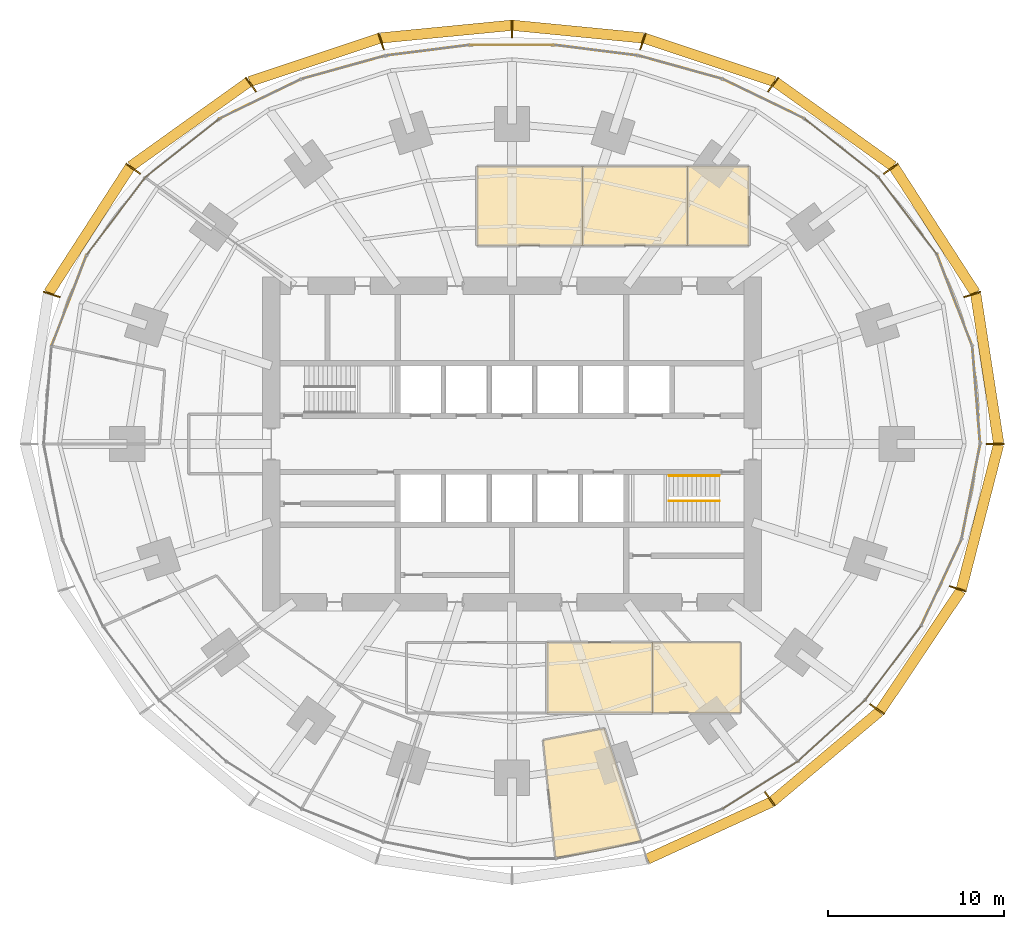
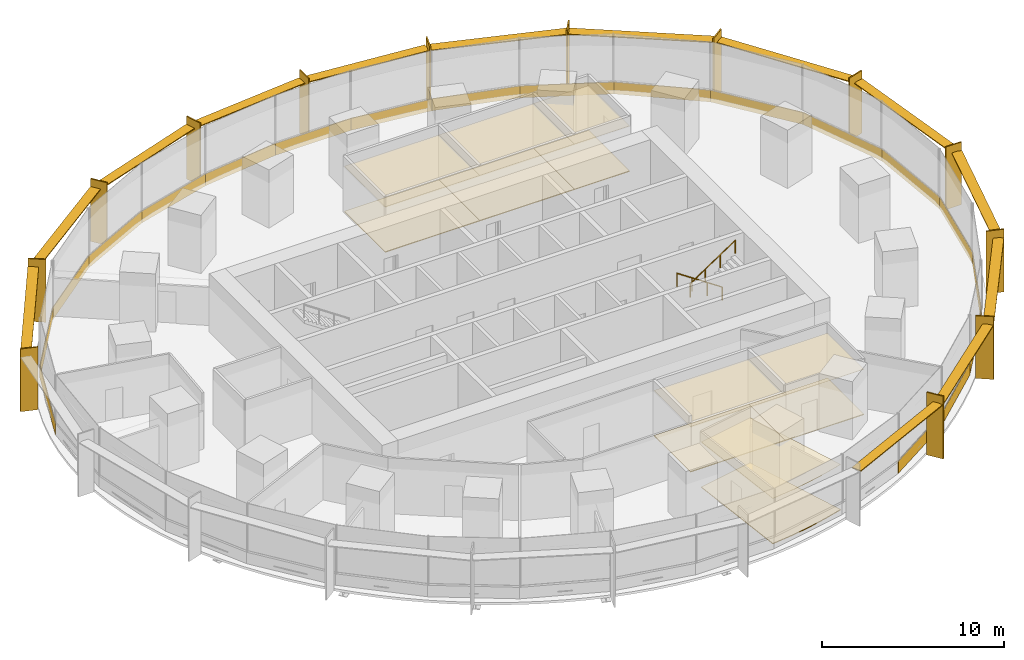
# One storey, part 15 of 15: 31 coverings, 26 shading devices, 2 railings.
"""IFC4 building model written with IfcOpenShell, lengths in metres."""

import ifcopenshell
import ifcopenshell.guid

model = None  # the IFC model being written
_history = None  # IfcOwnerHistory: only IFC2X3 demands one
_inside = {}  # id of a spatial element -> (the spatial element, [elements in it])
_under = {}  # id of a project, library or spatial element -> (it, [spatial elements below it])
_declared = {}  # id of a project -> (the project, [libraries it declares])
_typed = {}  # id of a type object -> (the type object, [elements of that type])
_made_of = {}  # id of a material, layer set ... -> (it, [elements and type objects made of it])


def new_model(schema):
    """Start an empty IFC model of exactly this schema.

    Asked for "IFC4X3", IfcOpenShell would pick the latest addendum, in which some entities
    have other attributes; the version numbers below select the first issue.
    IFC2X3 requires an IfcOwnerHistory on every rooted entity: one is made here for all.
    """
    global model, _history
    if schema == "IFC4X3":
        model = ifcopenshell.file(schema_version=(4, 3, 0, 0))
    else:
        model = ifcopenshell.file(schema=schema)
    _inside.clear()
    _under.clear()
    _declared.clear()
    _typed.clear()
    _made_of.clear()
    _history = None
    if model.schema == "IFC2X3":
        org = make("IfcOrganization", Name="unknown")
        user = make(
            "IfcPersonAndOrganization",
            ThePerson=make("IfcPerson", FamilyName="unknown"),
            TheOrganization=org,
        )
        app = make(
            "IfcApplication",
            ApplicationDeveloper=org,
            Version="unknown",
            ApplicationFullName="unknown",
            ApplicationIdentifier="unknown",
        )
        _history = make(
            "IfcOwnerHistory",
            OwningUser=user,
            OwningApplication=app,
            ChangeAction="ADDED",
            CreationDate=0,
        )
    return model


def make(cls, **values):
    """One entity of the class cls with the attributes given. An attribute that is None is left unset."""
    return model.create_entity(
        cls, **{name: value for name, value in values.items() if value is not None}
    )


def rooted(cls, **values):
    """An entity with a GlobalId (a new one), such as an element, a storey or a relation."""
    return make(cls, GlobalId=ifcopenshell.guid.new(), OwnerHistory=_history, **values)


def si_unit(unit_type, name, prefix=None):
    """IfcSIUnit, for example si_unit("LENGTHUNIT", "METRE", prefix="MILLI")."""
    return make("IfcSIUnit", UnitType=unit_type, Prefix=prefix, Name=name)


def assignment(units):
    """IfcUnitAssignment: the units of a project."""
    return None if units is None else make("IfcUnitAssignment", Units=units)


def point(xyz):
    """IfcCartesianPoint."""
    return None if xyz is None else make("IfcCartesianPoint", Coordinates=xyz)


def direction(xyz):
    """IfcDirection."""
    return None if xyz is None else make("IfcDirection", DirectionRatios=xyz)


def frame(location, z_axis=None, x_axis=None):
    """IfcAxis2Placement3D, a coordinate frame: its origin and axes. An axis left out is left unset."""
    return make(
        "IfcAxis2Placement3D",
        Location=point(location),
        Axis=direction(z_axis),
        RefDirection=direction(x_axis),
    )


def frame_2d(location, x_axis=None):
    """IfcAxis2Placement2D, a coordinate frame in the plane: its origin and x axis."""
    return make(
        "IfcAxis2Placement2D", Location=point(location), RefDirection=direction(x_axis)
    )


def origin():
    """The frame at (0, 0, 0) with its axes left unset."""
    return frame((0.0, 0.0, 0.0))


def origin_2d():
    """The frame at (0, 0) in the plane with its x axis left unset."""
    return frame_2d((0.0, 0.0))


def place(relative_to, where):
    """IfcLocalPlacement: puts the frame where relative to a parent placement (None: the world)."""
    return make(
        "IfcLocalPlacement", PlacementRelTo=relative_to, RelativePlacement=where
    )


def context(
    kind, dimensions, precision=None, world=None, true_north=None, identifier=None
):
    """IfcGeometricRepresentationContext, for example the 3D "Model" context."""
    return make(
        "IfcGeometricRepresentationContext",
        ContextIdentifier=identifier,
        ContextType=kind,
        CoordinateSpaceDimension=dimensions,
        Precision=precision,
        WorldCoordinateSystem=world,
        TrueNorth=true_north,
    )


def subcontext(parent, identifier, kind, view, scale=None):
    """IfcGeometricRepresentationSubContext, for example "Body" below "Model"."""
    return make(
        "IfcGeometricRepresentationSubContext",
        ContextIdentifier=identifier,
        ContextType=kind,
        ParentContext=parent,
        TargetScale=scale,
        TargetView=view,
    )


def project(units=None, contexts=None):
    """IfcProject with its units and contexts."""
    return rooted(
        "IfcProject",
        Name="project",
        RepresentationContexts=contexts,
        UnitsInContext=assignment(units),
    )


def spatial(cls, under=None, at=None, **own):
    """A site, building, storey or space (cls), placed at a placement, below another one or the project."""
    s = rooted(cls, ObjectPlacement=at, **own)
    if under is not None:
        _under.setdefault(under.id(), (under, []))[1].append(s)
    return s


def polyline(points):
    """IfcPolyline through the points."""
    return make("IfcPolyline", Points=[point(p) for p in points])


def profile(cls, at=None, kind="AREA", **sizes):
    """A parametric profile (cls). Its sizes go by their IFC names, for example OverallWidth=200.0."""
    return make(cls, ProfileType=kind, Position=at, **sizes)


def rectangle(**sizes):
    """IfcRectangleProfileDef."""
    return profile("IfcRectangleProfileDef", **sizes)


def circle(**sizes):
    """IfcCircleProfileDef."""
    return profile("IfcCircleProfileDef", **sizes)


def outline(outer, holes=None, kind="AREA"):
    """IfcArbitraryClosedProfileDef: a profile drawn as a closed curve; with holes, ...WithVoids."""
    if holes is None:
        return make("IfcArbitraryClosedProfileDef", ProfileType=kind, OuterCurve=outer)
    return make(
        "IfcArbitraryProfileDefWithVoids",
        ProfileType=kind,
        OuterCurve=outer,
        InnerCurves=holes,
    )


def extrude(swept, where, along, depth):
    """IfcExtrudedAreaSolid: the profile swept, set in the frame where, extruded along a direction by depth."""
    return make(
        "IfcExtrudedAreaSolid",
        SweptArea=swept,
        Position=where,
        ExtrudedDirection=direction(along),
        Depth=depth,
    )


def shape(context_of_items, identifier, shape_type, items):
    """IfcShapeRepresentation: the items that make up one representation, for example the "Body"."""
    return make(
        "IfcShapeRepresentation",
        ContextOfItems=context_of_items,
        RepresentationIdentifier=identifier,
        RepresentationType=shape_type,
        Items=items,
    )


def material(Name=None, Category=None):
    """IfcMaterial."""
    return make("IfcMaterial", Name=Name, Category=Category)


def layer(
    of_material, thickness, ventilated=None, Name=None, Category=None, Priority=None
):
    """IfcMaterialLayer: one layer of a wall or slab, of a material (None: an air gap)."""
    return make(
        "IfcMaterialLayer",
        Material=of_material,
        LayerThickness=thickness,
        IsVentilated=ventilated,
        Name=Name,
        Category=Category,
        Priority=Priority,
    )


def layer_set(layers, Name=None):
    """IfcMaterialLayerSet."""
    return make("IfcMaterialLayerSet", MaterialLayers=layers, LayerSetName=Name)


def made_of(thing, what):
    """Note that an element or type object is made of a material, layer set ...; save() writes the relation."""
    if what is not None:
        _made_of.setdefault(what.id(), (what, []))[1].append(thing)
    return thing


def type_object(cls, material=None, **own):
    """A type object (cls), such as IfcWallType, which elements share."""
    return made_of(rooted(cls, **own), material)


def element(
    cls,
    number,
    at=None,
    inside=None,
    cuts=None,
    type_object=None,
    material=None,
    context=None,
    identifier="Body",
    shape_type=None,
    held_by="IfcProductDefinitionShape",
    body=None,
    shapes=None,
    **own,
):
    """One element of the class cls, such as IfcWall. Its Tag is "e" and its number.

    at: its placement. inside: the storey or other place that contains it. cuts: it is an
    opening in that element (IfcRelVoidsElement). A single representation is given by context,
    identifier, shape_type and body (its items); several are given by shapes. held_by: the class
    of the entity that holds the representations. save() writes the other relations.
    """
    e = rooted(cls, Tag="e%d" % number, ObjectPlacement=at, **own)
    if body is not None:
        shapes = [shape(context, identifier, shape_type, body)]
    if shapes is not None:
        e.Representation = make(held_by, Representations=shapes)
    if inside is not None:
        _inside.setdefault(inside.id(), (inside, []))[1].append(e)
    if cuts is not None:
        rooted(
            "IfcRelVoidsElement", RelatingBuildingElement=cuts, RelatedOpeningElement=e
        )
    if type_object is not None:
        _typed.setdefault(type_object.id(), (type_object, []))[1].append(e)
    return made_of(e, material)


def aggregate(whole, parts):
    """IfcRelAggregates: a whole, such as a stair, and the parts it consists of."""
    return rooted("IfcRelAggregates", RelatingObject=whole, RelatedObjects=parts)


def save(model, path):
    """Write the relations noted so far, then the file.

    IfcRelAggregates (storeys below a building ...), IfcRelContainedInSpatialStructure (elements
    in a storey), IfcRelDefinesByType, IfcRelAssociatesMaterial and IfcRelDeclares: one each for
    every whole, place, type object, material and project.
    """
    for whole, parts in _under.values():
        aggregate(whole, parts)
    for where, things in _inside.values():
        rooted(
            "IfcRelContainedInSpatialStructure",
            RelatedElements=things,
            RelatingStructure=where,
        )
    for kind, things in _typed.values():
        rooted("IfcRelDefinesByType", RelatedObjects=things, RelatingType=kind)
    for what, things in _made_of.values():
        rooted("IfcRelAssociatesMaterial", RelatedObjects=things, RelatingMaterial=what)
    for by, libraries in _declared.values():
        rooted("IfcRelDeclares", RelatingContext=by, RelatedDefinitions=libraries)
    model.write(path)


model = new_model("IFC4")

# Units and contexts
model_context = context("Model", 3, precision=1e-05, world=origin(), true_north=direction((0.0, 1.0)))
body_context = subcontext(model_context, "Body", "Model", "MODEL_VIEW")
ifc_project = project(units=[si_unit("LENGTHUNIT", "METRE"), si_unit("AREAUNIT", "SQUARE_METRE"), si_unit("VOLUMEUNIT", "CUBIC_METRE"), si_unit("PLANEANGLEUNIT", "RADIAN"), si_unit("MASSUNIT", "GRAM", prefix="KILO")], contexts=[model_context])

# Site, building, storey
site_placement = place(None, origin())
site = spatial("IfcSite", under=ifc_project, at=site_placement, CompositionType="ELEMENT")
building_placement = place(site_placement, origin())
building = spatial("IfcBuilding", under=site, at=building_placement, Name="Marramba Exchange Tower", CompositionType="ELEMENT")
storey_placement = place(building_placement, frame((0.0, 0.0, 61.60009765625)))
storey = spatial("IfcBuildingStorey", under=building, at=storey_placement, Name="L14", CompositionType="ELEMENT", Elevation=61.60009765625)

# Shading devices
ifc_material_1 = material(Name="Aluminium blade, timber-look bronze finish", Category="wood")
ifc_layer_1 = layer(ifc_material_1, 0.080078125)
ifc_layer_set_1 = layer_set([ifc_layer_1], Name="Floor-edge blade 1000x80")
shading_device_type_1 = type_object("IfcShadingDeviceType", Name="Floor-edge blade 1000x80", PredefinedType="USERDEFINED", material=ifc_layer_set_1)
for number, where, z_axis, x_axis, name in (
    (1, (27.5, 0.0, -0.16015625), (0.0, 0.0, 1.0), (1.0, 0.0, 0.0), "Floor-edge blade FB1 L14 TC01"),
    (2, (26.193115234375, 8.5107421875, -0.16015625), (0.0, 0.0, 1.0), (0.951056516295, 0.309016994375, 0.0), "Floor-edge blade FB1 L14 TC02"),
    (3, (21.56298828125, 15.66650390625, -0.16015625), (0.0, 0.0, 1.0), (0.809016994375, 0.587785252292, 0.0), "Floor-edge blade FB1 L14 TC03"),
    (4, (14.857666015625, 20.449951171875, -0.16015625), (0.0, 0.0, 1.0), (0.587785252292, 0.809016994375, 0.0), "Floor-edge blade FB1 L14 TC04"),
    (5, (7.444091796875, 22.910888671875, -0.16015625), (0.0, 0.0, 1.0), (0.309016994375, 0.951056516295, 0.0), "Floor-edge blade FB1 L14 TC05"),
    (6, (0.0, 23.6279296875, -0.16015625), (0.0, 0.0, 1.0), (0.0, 1.0, 0.0), "Floor-edge blade FB1 L14 TC06"),
    (7, (-7.444091796875, 22.910888671875, -0.16015625), (0.0, 0.0, 1.0), (-0.309016994375, 0.951056516295, 0.0), "Floor-edge blade FB1 L14 TC07"),
    (8, (-14.857666015625, 20.449951171875, -0.16015625), (0.0, 0.0, 1.0), (-0.587785252292, 0.809016994375, 0.0), "Floor-edge blade FB1 L14 TC08"),
    (9, (-21.56298828125, 15.66650390625, -0.16015625), (0.0, 0.0, 1.0), (-0.809016994375, 0.587785252292, 0.0), "Floor-edge blade FB1 L14 TC09"),
    (10, (-26.193115234375, 8.5107421875, -0.16015625), (0.0, 0.0, 1.0), (-0.951056516295, 0.309016994375, 0.0), "Floor-edge blade FB1 L14 TC10"),
    (11, (14.6787109375, -20.20361328125, -0.16015625), (0.0, 0.0, 1.0), (0.587785252292, -0.809016994375, 0.0), "Floor-edge blade FB1 L14 TC18"),
    (12, (20.773193359375, -15.092529296875, -0.16015625), (0.0, 0.0, 1.0), (0.809016994375, -0.587785252292, 0.0), "Floor-edge blade FB1 L14 TC19"),
    (13, (25.3740234375, -8.24462890625, -0.16015625), (0.0, 0.0, 1.0), (0.951056516295, -0.309016994375, 0.0), "Floor-edge blade FB1 L14 TC20"),
):
    element("IfcShadingDevice", number, at=place(storey_placement, frame(where, z_axis=z_axis, x_axis=x_axis)), inside=storey, type_object=shading_device_type_1, Name=name, ObjectType="FIN", PredefinedType="USERDEFINED", context=body_context, shape_type="SweptSolid", body=[
        extrude(rectangle(XDim=1.0, YDim=0.080078125, at=origin_2d()), origin(), (0.0, 0.0, 1.0), 4.199951171875),
    ])

# Coverings
ifc_material_2 = material(Name="Steel raised access floor panels", Category="steel")
ifc_layer_2 = layer(ifc_material_2, 0.050048828125)
ifc_layer_set_2 = layer_set([ifc_layer_2], Name="Raised access floor 300")
covering_type_1 = type_object("IfcCoveringType", Name="Raised access floor 300", PredefinedType="FLOORING", material=ifc_layer_set_2)
covering_1_placement = place(storey_placement, frame((0.0, 0.0, 0.25)))
element("IfcCovering", 14, at=covering_1_placement, inside=storey, type_object=covering_type_1, Name="Raised access floor RAF1 L14 Risk Office", PredefinedType="FLOORING", context=body_context, shape_type="SweptSolid", body=[
    extrude(outline(polyline([(6.1328125, -22.8876953125), (5.89111328125, -22.941650390625), (4.92236328125, -23.15771484375), (4.17138671875, -23.28759765625), (3.701416015625, -23.368896484375), (2.47216796875, -23.5205078125), (1.771728515625, -16.857177734375), (5.259765625, -16.18798828125), (7.330078125, -22.56005859375), (6.1328125, -22.8876953125)])), origin(), (0.0, 0.0, 1.0), 0.0498046875),
])
covering_2_placement = place(storey_placement, frame((0.0, 0.0, 0.25)))
element("IfcCovering", 15, at=covering_2_placement, inside=storey, type_object=covering_type_1, Name="Raised access floor RAF1 L14 Meeting Room 1", PredefinedType="FLOORING", context=body_context, shape_type="SweptSolid", body=[
    extrude(outline(polyline([(4.0, 11.300048828125), (-2.0, 11.300048828125), (-2.0, 15.800048828125), (4.0, 15.800048828125), (4.0, 11.300048828125)])), origin(), (0.0, 0.0, 1.0), 0.0498046875),
])
covering_3_placement = place(storey_placement, frame((0.0, 0.0, 0.25)))
element("IfcCovering", 16, at=covering_3_placement, inside=storey, type_object=covering_type_1, Name="Raised access floor RAF1 L14 Meeting Room 2", PredefinedType="FLOORING", context=body_context, shape_type="SweptSolid", body=[
    extrude(outline(polyline([(10.0, 11.300048828125), (4.0, 11.300048828125), (4.0, 15.800048828125), (10.0, 15.800048828125), (10.0, 11.300048828125)])), origin(), (0.0, 0.0, 1.0), 0.0498046875),
])
covering_4_placement = place(storey_placement, frame((0.0, 0.0, 0.25)))
element("IfcCovering", 17, at=covering_4_placement, inside=storey, type_object=covering_type_1, Name="Raised access floor RAF1 L14 Interview Room", PredefinedType="FLOORING", context=body_context, shape_type="SweptSolid", body=[
    extrude(outline(polyline([(13.5, 11.300048828125), (10.0, 11.300048828125), (10.0, 15.800048828125), (13.5, 15.800048828125), (13.5, 11.300048828125)])), origin(), (0.0, 0.0, 1.0), 0.0498046875),
])
covering_5_placement = place(storey_placement, frame((0.0, 0.0, 0.25)))
element("IfcCovering", 18, at=covering_5_placement, inside=storey, type_object=covering_type_1, Name="Raised access floor RAF1 L14 Data Room", PredefinedType="FLOORING", context=body_context, shape_type="SweptSolid", body=[
    extrude(outline(polyline([(8.0, -15.300048828125), (2.0, -15.300048828125), (2.0, -11.300048828125), (8.0, -11.300048828125), (8.0, -15.300048828125)])), origin(), (0.0, 0.0, 1.0), 0.0498046875),
])
covering_6_placement = place(storey_placement, frame((0.0, 0.0, 0.25)))
element("IfcCovering", 19, at=covering_6_placement, inside=storey, type_object=covering_type_1, Name="Raised access floor RAF1 L14 Print Room", PredefinedType="FLOORING", context=body_context, shape_type="SweptSolid", body=[
    extrude(outline(polyline([(13.0, -11.300048828125), (13.0, -15.300048828125), (8.0, -15.300048828125), (8.0, -11.300048828125), (13.0, -11.300048828125)])), origin(), (0.0, 0.0, 1.0), 0.0498046875),
])

# Shading devices
ifc_material_3 = material(Name="Aluminium sunshade, bronze anodised", Category="aluminium")
ifc_layer_3 = layer(ifc_material_3, 0.06005859375)
ifc_layer_set_3 = layer_set([ifc_layer_3], Name="SUNSHADE blade 600x60")
shading_device_type_2 = type_object("IfcShadingDeviceType", Name="SUNSHADE blade 600x60", PredefinedType="USERDEFINED", material=ifc_layer_set_3)
shading_device_1_placement = place(storey_placement, frame((27.04150390625, 4.2861328125, 3.4599609375), z_axis=(0.0, 0.0, 1.0), x_axis=(-0.151825486228, 0.988407315701, 0.0)))
element("IfcShadingDevice", 20, at=shading_device_1_placement, inside=storey, type_object=shading_device_type_2, Name="Sunshade SS1 L14 bay 01", ObjectType="SUNSHADE", PredefinedType="USERDEFINED", context=body_context, shape_type="SweptSolid", body=[
    extrude(rectangle(XDim=8.593017578125, YDim=0.60009765625, at=origin_2d()), origin(), (0.0, 0.0, 1.0), 0.06005859375),
])
shading_device_2_placement = place(storey_placement, frame((24.053955078125, 12.17822265625, 3.4599609375), z_axis=(0.0, 0.0, 1.0), x_axis=(-0.542596596948, 0.839993412462, 0.0)))
element("IfcShadingDevice", 21, at=shading_device_2_placement, inside=storey, type_object=shading_device_type_2, Name="Sunshade SS1 L14 bay 02", ObjectType="SUNSHADE", PredefinedType="USERDEFINED", context=body_context, shape_type="SweptSolid", body=[
    extrude(rectangle(XDim=8.50537109375, YDim=0.60009765625, at=origin_2d()), origin(), (0.0, 0.0, 1.0), 0.06005859375),
])
shading_device_3_placement = place(storey_placement, frame((18.35009765625, 18.19775390625, 3.4599609375), z_axis=(0.0, 0.0, 1.0), x_axis=(-0.813362978246, 0.581756534659, 0.0)))
element("IfcShadingDevice", 22, at=shading_device_3_placement, inside=storey, type_object=shading_device_type_2, Name="Sunshade SS1 L14 bay 03", ObjectType="SUNSHADE", PredefinedType="USERDEFINED", context=body_context, shape_type="SweptSolid", body=[
    extrude(rectangle(XDim=8.218505859375, YDim=0.60009765625, at=origin_2d()), origin(), (0.0, 0.0, 1.0), 0.06005859375),
])
shading_device_4_placement = place(storey_placement, frame((11.24072265625, 21.8564453125, 3.4599609375), z_axis=(0.0, 0.0, 1.0), x_axis=(-0.948697789537, 0.316184288235, 0.0)))
element("IfcShadingDevice", 23, at=shading_device_4_placement, inside=storey, type_object=shading_device_type_2, Name="Sunshade SS1 L14 bay 04", ObjectType="SUNSHADE", PredefinedType="USERDEFINED", context=body_context, shape_type="SweptSolid", body=[
    extrude(rectangle(XDim=7.793212890625, YDim=0.60009765625, at=origin_2d()), origin(), (0.0, 0.0, 1.0), 0.06005859375),
])
for number, where, z_axis, x_axis, name in (
    (24, (3.7529296875, 23.464599609375, 3.4599609375), (0.0, 0.0, 1.0), (-0.995342876176, 0.096397919302, 0.0), "Sunshade SS1 L14 bay 05"),
    (25, (-3.7529296875, 23.464599609375, 3.4599609375), (0.0, 0.0, 1.0), (-0.995342876176, -0.096397919302, 0.0), "Sunshade SS1 L14 bay 06"),
):
    element("IfcShadingDevice", number, at=place(storey_placement, frame(where, z_axis=z_axis, x_axis=x_axis)), inside=storey, type_object=shading_device_type_2, Name=name, ObjectType="SUNSHADE", PredefinedType="USERDEFINED", context=body_context, shape_type="SweptSolid", body=[
        extrude(rectangle(XDim=7.461181640625, YDim=0.60009765625, at=origin_2d()), origin(), (0.0, 0.0, 1.0), 0.06005859375),
    ])
shading_device_5_placement = place(storey_placement, frame((-11.24072265625, 21.8564453125, 3.4599609375), z_axis=(0.0, 0.0, 1.0), x_axis=(-0.948697789537, -0.316184288235, 0.0)))
element("IfcShadingDevice", 26, at=shading_device_5_placement, inside=storey, type_object=shading_device_type_2, Name="Sunshade SS1 L14 bay 07", ObjectType="SUNSHADE", PredefinedType="USERDEFINED", context=body_context, shape_type="SweptSolid", body=[
    extrude(rectangle(XDim=7.793212890625, YDim=0.60009765625, at=origin_2d()), origin(), (0.0, 0.0, 1.0), 0.06005859375),
])
shading_device_6_placement = place(storey_placement, frame((-18.35009765625, 18.19775390625, 3.4599609375), z_axis=(0.0, 0.0, 1.0), x_axis=(-0.813362978246, -0.581756534659, 0.0)))
element("IfcShadingDevice", 27, at=shading_device_6_placement, inside=storey, type_object=shading_device_type_2, Name="Sunshade SS1 L14 bay 08", ObjectType="SUNSHADE", PredefinedType="USERDEFINED", context=body_context, shape_type="SweptSolid", body=[
    extrude(rectangle(XDim=8.218505859375, YDim=0.60009765625, at=origin_2d()), origin(), (0.0, 0.0, 1.0), 0.06005859375),
])
shading_device_7_placement = place(storey_placement, frame((-24.053955078125, 12.17822265625, 3.4599609375), z_axis=(0.0, 0.0, 1.0), x_axis=(-0.542596596948, -0.839993412462, 0.0)))
element("IfcShadingDevice", 28, at=shading_device_7_placement, inside=storey, type_object=shading_device_type_2, Name="Sunshade SS1 L14 bay 09", ObjectType="SUNSHADE", PredefinedType="USERDEFINED", context=body_context, shape_type="SweptSolid", body=[
    extrude(rectangle(XDim=8.50537109375, YDim=0.60009765625, at=origin_2d()), origin(), (0.0, 0.0, 1.0), 0.06005859375),
])
shading_device_8_placement = place(storey_placement, frame((11.23779296875, -22.0, 3.4599609375), z_axis=(0.0, 0.0, 1.0), x_axis=(0.908703542008, 0.417442059144, 0.0)))
element("IfcShadingDevice", 29, at=shading_device_8_placement, inside=storey, type_object=shading_device_type_2, Name="Sunshade SS1 L14 bay 17", ObjectType="SUNSHADE", PredefinedType="USERDEFINED", context=body_context, shape_type="SweptSolid", body=[
    extrude(rectangle(XDim=7.751953125, YDim=0.60009765625, at=origin_2d()), origin(), (0.0, 0.0, 1.0), 0.06005859375),
])
shading_device_9_placement = place(storey_placement, frame((17.86572265625, -17.787841796875, 3.4599609375), z_axis=(0.0, 0.0, 1.0), x_axis=(0.765776068523, 0.643107310546, 0.0)))
element("IfcShadingDevice", 30, at=shading_device_9_placement, inside=storey, type_object=shading_device_type_2, Name="Sunshade SS1 L14 bay 18", ObjectType="SUNSHADE", PredefinedType="USERDEFINED", context=body_context, shape_type="SweptSolid", body=[
    extrude(rectangle(XDim=7.936279296875, YDim=0.60009765625, at=origin_2d()), origin(), (0.0, 0.0, 1.0), 0.06005859375),
])
shading_device_10_placement = place(storey_placement, frame((23.24951171875, -11.75830078125, 3.4599609375), z_axis=(0.0, 0.0, 1.0), x_axis=(0.556924164761, 0.830563347798, 0.0)))
element("IfcShadingDevice", 31, at=shading_device_10_placement, inside=storey, type_object=shading_device_type_2, Name="Sunshade SS1 L14 bay 19", ObjectType="SUNSHADE", PredefinedType="USERDEFINED", context=body_context, shape_type="SweptSolid", body=[
    extrude(rectangle(XDim=8.232177734375, YDim=0.60009765625, at=origin_2d()), origin(), (0.0, 0.0, 1.0), 0.06005859375),
])
shading_device_11_placement = place(storey_placement, frame((26.632080078125, -4.153076171875, 3.4599609375), z_axis=(0.0, 0.0, 1.0), x_axis=(0.249024641331, 0.968497149201, 0.0)))
element("IfcShadingDevice", 32, at=shading_device_11_placement, inside=storey, type_object=shading_device_type_2, Name="Sunshade SS1 L14 bay 20", ObjectType="SUNSHADE", PredefinedType="USERDEFINED", context=body_context, shape_type="SweptSolid", body=[
    extrude(rectangle(XDim=8.49658203125, YDim=0.60009765625, at=origin_2d()), origin(), (0.0, 0.0, 1.0), 0.06005859375),
])

# Coverings
ifc_material_4 = material(Name="Aluminium spandrel panel, bronze anodised, insulated", Category="aluminium")
ifc_layer_4 = layer(ifc_material_4, 0.050048828125)
ifc_layer_set_4 = layer_set([ifc_layer_4], Name="Spandrel panel 800")
covering_type_2 = type_object("IfcCoveringType", Name="Spandrel panel 800", PredefinedType="CLADDING", material=ifc_layer_set_4)
covering_7_placement = place(storey_placement, frame((26.42578125, 2.78466796875, 0.0), z_axis=(0.0, 0.0, 1.0), x_axis=(-0.080275227657, 0.996772736297, 0.0)))
element("IfcCovering", 33, at=covering_7_placement, inside=storey, type_object=covering_type_2, Name="Spandrel panel SP1 L14 F01", PredefinedType="CLADDING", context=body_context, shape_type="SweptSolid", body=[
    extrude(rectangle(XDim=5.58740234375, YDim=0.050048828125, at=origin_2d()), origin(), (0.0, 0.0, 1.0), 0.800048828125),
])
covering_8_placement = place(storey_placement, frame((25.198974609375, 8.171142578125, 0.0), z_axis=(0.0, 0.0, 1.0), x_axis=(-0.359525512701, 0.933135255854, 0.0)))
element("IfcCovering", 34, at=covering_8_placement, inside=storey, type_object=covering_type_2, Name="Spandrel panel SP1 L14 F02", PredefinedType="CLADDING", context=body_context, shape_type="SweptSolid", body=[
    extrude(rectangle(XDim=5.57666015625, YDim=0.050048828125, at=origin_2d()), origin(), (0.0, 0.0, 1.0), 0.800048828125),
])
covering_9_placement = place(storey_placement, frame((22.535888671875, 12.969970703125, 0.0), z_axis=(0.0, 0.0, 1.0), x_axis=(-0.602989761876, 0.797748924834, 0.0)))
element("IfcCovering", 35, at=covering_9_placement, inside=storey, type_object=covering_type_2, Name="Spandrel panel SP1 L14 F03", PredefinedType="CLADDING", context=body_context, shape_type="SweptSolid", body=[
    extrude(rectangle(XDim=5.5078125, YDim=0.050048828125, at=origin_2d()), origin(), (0.0, 0.0, 1.0), 0.800048828125),
])
covering_10_placement = place(storey_placement, frame((18.767822265625, 16.8349609375, 0.0), z_axis=(0.0, 0.0, 1.0), x_axis=(-0.784087946735, 0.620649733574, 0.0)))
element("IfcCovering", 36, at=covering_10_placement, inside=storey, type_object=covering_type_2, Name="Spandrel panel SP1 L14 F04", PredefinedType="CLADDING", context=body_context, shape_type="SweptSolid", body=[
    extrude(rectangle(XDim=5.375732421875, YDim=0.050048828125, at=origin_2d()), origin(), (0.0, 0.0, 1.0), 0.800048828125),
])
covering_11_placement = place(storey_placement, frame((14.324951171875, 19.634765625, 0.0), z_axis=(0.0, 0.0, 1.0), x_axis=(-0.899963432359, 0.435965389012, 0.0)))
element("IfcCovering", 37, at=covering_11_placement, inside=storey, type_object=covering_type_2, Name="Spandrel panel SP1 L14 F05", PredefinedType="CLADDING", context=body_context, shape_type="SweptSolid", body=[
    extrude(rectangle(XDim=5.1904296875, YDim=0.050048828125, at=origin_2d()), origin(), (0.0, 0.0, 1.0), 0.800048828125),
])
covering_12_placement = place(storey_placement, frame((9.58544921875, 21.434326171875, 0.0), z_axis=(0.0, 0.0, 1.0), x_axis=(-0.963472098411, 0.267808729475, 0.0)))
element("IfcCovering", 38, at=covering_12_placement, inside=storey, type_object=covering_type_2, Name="Spandrel panel SP1 L14 F06", PredefinedType="CLADDING", context=body_context, shape_type="SweptSolid", body=[
    extrude(rectangle(XDim=4.989990234375, YDim=0.050048828125, at=origin_2d()), origin(), (0.0, 0.0, 1.0), 0.800048828125),
])
covering_13_placement = place(storey_placement, frame((4.783935546875, 22.404296875, 0.0), z_axis=(0.0, 0.0, 1.0), x_axis=(-0.992172768222, 0.124872727203, 0.0)))
element("IfcCovering", 39, at=covering_13_placement, inside=storey, type_object=covering_type_2, Name="Spandrel panel SP1 L14 F07", PredefinedType="CLADDING", context=body_context, shape_type="SweptSolid", body=[
    extrude(rectangle(XDim=4.832763671875, YDim=0.050048828125, at=origin_2d()), origin(), (0.0, 0.0, 1.0), 0.800048828125),
])
covering_14_placement = place(storey_placement, frame((0.0, 22.7060546875, 0.0), z_axis=(0.0, 0.0, 1.0), x_axis=(-1.0, 0.0, 0.0)))
element("IfcCovering", 40, at=covering_14_placement, inside=storey, type_object=covering_type_2, Name="Spandrel panel SP1 L14 F08", PredefinedType="CLADDING", context=body_context, shape_type="SweptSolid", body=[
    extrude(rectangle(XDim=4.77294921875, YDim=0.050048828125, at=origin_2d()), origin(), (0.0, 0.0, 1.0), 0.800048828125),
])
covering_15_placement = place(storey_placement, frame((-4.783935546875, 22.404296875, 0.0), z_axis=(0.0, 0.0, 1.0), x_axis=(-0.992172768222, -0.124872727203, 0.0)))
element("IfcCovering", 41, at=covering_15_placement, inside=storey, type_object=covering_type_2, Name="Spandrel panel SP1 L14 F09", PredefinedType="CLADDING", context=body_context, shape_type="SweptSolid", body=[
    extrude(rectangle(XDim=4.832763671875, YDim=0.050048828125, at=origin_2d()), origin(), (0.0, 0.0, 1.0), 0.800048828125),
])
covering_16_placement = place(storey_placement, frame((-9.58544921875, 21.434326171875, 0.0), z_axis=(0.0, 0.0, 1.0), x_axis=(-0.963472098411, -0.267808729475, 0.0)))
element("IfcCovering", 42, at=covering_16_placement, inside=storey, type_object=covering_type_2, Name="Spandrel panel SP1 L14 F10", PredefinedType="CLADDING", context=body_context, shape_type="SweptSolid", body=[
    extrude(rectangle(XDim=4.989990234375, YDim=0.050048828125, at=origin_2d()), origin(), (0.0, 0.0, 1.0), 0.800048828125),
])
covering_17_placement = place(storey_placement, frame((-14.324951171875, 19.634765625, 0.0), z_axis=(0.0, 0.0, 1.0), x_axis=(-0.899963432359, -0.435965389012, 0.0)))
element("IfcCovering", 43, at=covering_17_placement, inside=storey, type_object=covering_type_2, Name="Spandrel panel SP1 L14 F11", PredefinedType="CLADDING", context=body_context, shape_type="SweptSolid", body=[
    extrude(rectangle(XDim=5.1904296875, YDim=0.050048828125, at=origin_2d()), origin(), (0.0, 0.0, 1.0), 0.800048828125),
])
covering_18_placement = place(storey_placement, frame((-18.767822265625, 16.8349609375, 0.0), z_axis=(0.0, 0.0, 1.0), x_axis=(-0.784087946735, -0.620649733574, 0.0)))
element("IfcCovering", 44, at=covering_18_placement, inside=storey, type_object=covering_type_2, Name="Spandrel panel SP1 L14 F12", PredefinedType="CLADDING", context=body_context, shape_type="SweptSolid", body=[
    extrude(rectangle(XDim=5.375732421875, YDim=0.050048828125, at=origin_2d()), origin(), (0.0, 0.0, 1.0), 0.800048828125),
])
covering_19_placement = place(storey_placement, frame((-22.535888671875, 12.969970703125, 0.0), z_axis=(0.0, 0.0, 1.0), x_axis=(-0.602989761876, -0.797748924834, 0.0)))
element("IfcCovering", 45, at=covering_19_placement, inside=storey, type_object=covering_type_2, Name="Spandrel panel SP1 L14 F13", PredefinedType="CLADDING", context=body_context, shape_type="SweptSolid", body=[
    extrude(rectangle(XDim=5.5078125, YDim=0.050048828125, at=origin_2d()), origin(), (0.0, 0.0, 1.0), 0.800048828125),
])
covering_20_placement = place(storey_placement, frame((-25.198974609375, 8.171142578125, 0.0), z_axis=(0.0, 0.0, 1.0), x_axis=(-0.359525512701, -0.933135255854, 0.0)))
element("IfcCovering", 46, at=covering_20_placement, inside=storey, type_object=covering_type_2, Name="Spandrel panel SP1 L14 F14", PredefinedType="CLADDING", context=body_context, shape_type="SweptSolid", body=[
    extrude(rectangle(XDim=5.57666015625, YDim=0.050048828125, at=origin_2d()), origin(), (0.0, 0.0, 1.0), 0.800048828125),
])
covering_21_placement = place(storey_placement, frame((14.128662109375, -19.416748046875, 0.0), z_axis=(0.0, 0.0, 1.0), x_axis=(0.845790829799, 0.533514641062, 0.0)))
element("IfcCovering", 47, at=covering_21_placement, inside=storey, type_object=covering_type_2, Name="Spandrel panel SP1 L14 F26", PredefinedType="CLADDING", context=body_context, shape_type="SweptSolid", body=[
    extrude(rectangle(XDim=5.05859375, YDim=0.050048828125, at=origin_2d()), origin(), (0.0, 0.0, 1.0), 0.800048828125),
])
covering_22_placement = place(storey_placement, frame((18.1767578125, -16.330078125, 0.0), z_axis=(0.0, 0.0, 1.0), x_axis=(0.739589582203, 0.673058132628, 0.0)))
element("IfcCovering", 48, at=covering_22_placement, inside=storey, type_object=covering_type_2, Name="Spandrel panel SP1 L14 F27", PredefinedType="CLADDING", context=body_context, shape_type="SweptSolid", body=[
    extrude(rectangle(XDim=5.161865234375, YDim=0.050048828125, at=origin_2d()), origin(), (0.0, 0.0, 1.0), 0.800048828125),
])
covering_23_placement = place(storey_placement, frame((21.683349609375, -12.479248046875, 0.0), z_axis=(0.0, 0.0, 1.0), x_axis=(0.603040469481, 0.797710594243, 0.0)))
element("IfcCovering", 49, at=covering_23_placement, inside=storey, type_object=covering_type_2, Name="Spandrel panel SP1 L14 F28", PredefinedType="CLADDING", context=body_context, shape_type="SweptSolid", body=[
    extrude(rectangle(XDim=5.299560546875, YDim=0.050048828125, at=origin_2d()), origin(), (0.0, 0.0, 1.0), 0.800048828125),
])
covering_24_placement = place(storey_placement, frame((24.432861328125, -7.90185546875, 0.0), z_axis=(0.0, 0.0, 1.0), x_axis=(0.423477213559, 0.905906755464, 0.0)))
element("IfcCovering", 50, at=covering_24_placement, inside=storey, type_object=covering_type_2, Name="Spandrel panel SP1 L14 F29", PredefinedType="CLADDING", context=body_context, shape_type="SweptSolid", body=[
    extrude(rectangle(XDim=5.439208984375, YDim=0.050048828125, at=origin_2d()), origin(), (0.0, 0.0, 1.0), 0.800048828125),
])
covering_25_placement = place(storey_placement, frame((26.117431640625, -2.718994140625, 0.0), z_axis=(0.0, 0.0, 1.0), x_axis=(0.19224858127, 0.981346260501, 0.0)))
element("IfcCovering", 51, at=covering_25_placement, inside=storey, type_object=covering_type_2, Name="Spandrel panel SP1 L14 F30", PredefinedType="CLADDING", context=body_context, shape_type="SweptSolid", body=[
    extrude(rectangle(XDim=5.54150390625, YDim=0.050048828125, at=origin_2d()), origin(), (0.0, 0.0, 1.0), 0.800048828125),
])

# Railings
ifc_material_5 = material(Name="Stainless steel handrail", Category="steel")
railing_type = type_object("IfcRailingType", Name="Stair handrail 900", PredefinedType="HANDRAIL", material=ifc_material_5)
railing_1_placement = place(storey_placement, frame((11.800048828125, -1.800048828125, 0.1748046875)))
element("IfcRailing", 52, at=railing_1_placement, inside=storey, type_object=railing_type, Name="Handrail HR1 ST2 L14 flight 1", PredefinedType="HANDRAIL", context=body_context, shape_type="SweptSolid", body=[
    extrude(circle(Radius=0.02392578125, at=origin_2d()), frame((0.0, 0.0, 0.8759765625), z_axis=(-0.829590901723, 0.0, 0.558371682465), x_axis=(0.0, -1.0, 0.0)), (0.0, 0.0, 1.0), 3.447509765625),
    extrude(circle(Radius=0.02099609375, at=origin_2d()), origin(), (0.0, 0.0, 1.0), 0.851806640625),
    extrude(circle(Radius=0.02099609375, at=origin_2d()), frame((-0.953369140625, 0.0, 0.6416015625)), (0.0, 0.0, 1.0), 0.851806640625),
    extrude(circle(Radius=0.02099609375, at=origin_2d()), frame((-1.90673828125, 0.0, 1.283447265625)), (0.0, 0.0, 1.0), 0.851806640625),
    extrude(circle(Radius=0.02099609375, at=origin_2d()), frame((-2.860107421875, 0.0, 1.925048828125)), (0.0, 0.0, 1.0), 0.851806640625),
])
railing_2_placement = place(storey_placement, frame((8.93994140625, -3.25, 2.27490234375)))
element("IfcRailing", 53, at=railing_2_placement, inside=storey, type_object=railing_type, Name="Handrail HR1 ST2 L14 flight 2", PredefinedType="HANDRAIL", context=body_context, shape_type="SweptSolid", body=[
    extrude(circle(Radius=0.02392578125, at=origin_2d()), frame((0.0, 0.0, 0.8759765625), z_axis=(0.829590901723, 0.0, 0.558371682465), x_axis=(0.0, 1.0, 0.0)), (0.0, 0.0, 1.0), 3.447509765625),
    extrude(circle(Radius=0.02099609375, at=origin_2d()), origin(), (0.0, 0.0, 1.0), 0.851806640625),
    extrude(circle(Radius=0.02099609375, at=origin_2d()), frame((0.953369140625, 0.0, 0.6416015625)), (0.0, 0.0, 1.0), 0.851806640625),
    extrude(circle(Radius=0.02099609375, at=origin_2d()), frame((1.90673828125, 0.0, 1.283447265625)), (0.0, 0.0, 1.0), 0.851806640625),
    extrude(circle(Radius=0.02099609375, at=origin_2d()), frame((2.860107421875, 0.0, 1.925048828125)), (0.0, 0.0, 1.0), 0.851806640625),
])

# Coverings
ifc_material_6 = material(Name="Mineral fibre ceiling tiles", Category="gypsum")
ifc_layer_5 = layer(ifc_material_6, 0.02001953125)
ifc_layer_set_5 = layer_set([ifc_layer_5], Name="Suspended ceiling 20")
covering_type_3 = type_object("IfcCoveringType", Name="Suspended ceiling 20", PredefinedType="CEILING", material=ifc_layer_set_5)
covering_26_placement = place(storey_placement, frame((0.0, 0.0, 3.2998046875)))
element("IfcCovering", 54, at=covering_26_placement, inside=storey, type_object=covering_type_3, Name="Ceiling CL1 L14 Risk Office", PredefinedType="CEILING", context=body_context, shape_type="SweptSolid", body=[
    extrude(outline(polyline([(6.1328125, -22.8876953125), (5.89111328125, -22.941650390625), (4.92236328125, -23.15771484375), (4.17138671875, -23.28759765625), (3.701416015625, -23.368896484375), (2.47216796875, -23.5205078125), (1.771728515625, -16.857177734375), (5.259765625, -16.18798828125), (7.330078125, -22.56005859375), (6.1328125, -22.8876953125)])), origin(), (0.0, 0.0, 1.0), 0.02001953125),
])
covering_27_placement = place(storey_placement, frame((0.0, 0.0, 3.2998046875)))
element("IfcCovering", 55, at=covering_27_placement, inside=storey, type_object=covering_type_3, Name="Ceiling CL1 L14 Meeting Room 1", PredefinedType="CEILING", context=body_context, shape_type="SweptSolid", body=[
    extrude(outline(polyline([(4.0, 11.300048828125), (-2.0, 11.300048828125), (-2.0, 15.800048828125), (4.0, 15.800048828125), (4.0, 11.300048828125)])), origin(), (0.0, 0.0, 1.0), 0.02001953125),
])
covering_28_placement = place(storey_placement, frame((0.0, 0.0, 3.2998046875)))
element("IfcCovering", 56, at=covering_28_placement, inside=storey, type_object=covering_type_3, Name="Ceiling CL1 L14 Meeting Room 2", PredefinedType="CEILING", context=body_context, shape_type="SweptSolid", body=[
    extrude(outline(polyline([(10.0, 11.300048828125), (4.0, 11.300048828125), (4.0, 15.800048828125), (10.0, 15.800048828125), (10.0, 11.300048828125)])), origin(), (0.0, 0.0, 1.0), 0.02001953125),
])
covering_29_placement = place(storey_placement, frame((0.0, 0.0, 3.2998046875)))
element("IfcCovering", 57, at=covering_29_placement, inside=storey, type_object=covering_type_3, Name="Ceiling CL1 L14 Interview Room", PredefinedType="CEILING", context=body_context, shape_type="SweptSolid", body=[
    extrude(outline(polyline([(13.5, 11.300048828125), (10.0, 11.300048828125), (10.0, 15.800048828125), (13.5, 15.800048828125), (13.5, 11.300048828125)])), origin(), (0.0, 0.0, 1.0), 0.02001953125),
])
covering_30_placement = place(storey_placement, frame((0.0, 0.0, 3.2998046875)))
element("IfcCovering", 58, at=covering_30_placement, inside=storey, type_object=covering_type_3, Name="Ceiling CL1 L14 Data Room", PredefinedType="CEILING", context=body_context, shape_type="SweptSolid", body=[
    extrude(outline(polyline([(8.0, -15.300048828125), (2.0, -15.300048828125), (2.0, -11.300048828125), (8.0, -11.300048828125), (8.0, -15.300048828125)])), origin(), (0.0, 0.0, 1.0), 0.02001953125),
])
covering_31_placement = place(storey_placement, frame((0.0, 0.0, 3.2998046875)))
element("IfcCovering", 59, at=covering_31_placement, inside=storey, type_object=covering_type_3, Name="Ceiling CL1 L14 Print Room", PredefinedType="CEILING", context=body_context, shape_type="SweptSolid", body=[
    extrude(outline(polyline([(13.0, -11.300048828125), (13.0, -15.300048828125), (8.0, -15.300048828125), (8.0, -11.300048828125), (13.0, -11.300048828125)])), origin(), (0.0, 0.0, 1.0), 0.02001953125),
])

save(model, "model.ifc")
